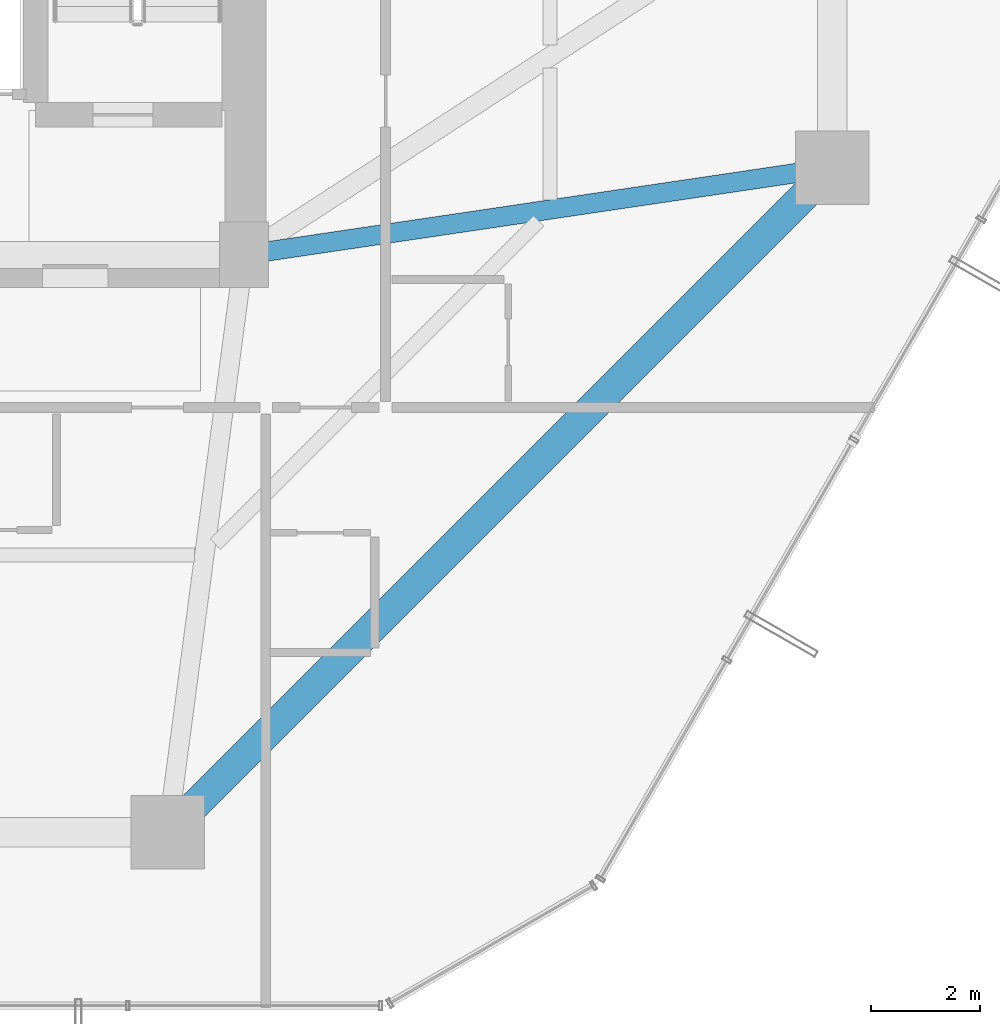
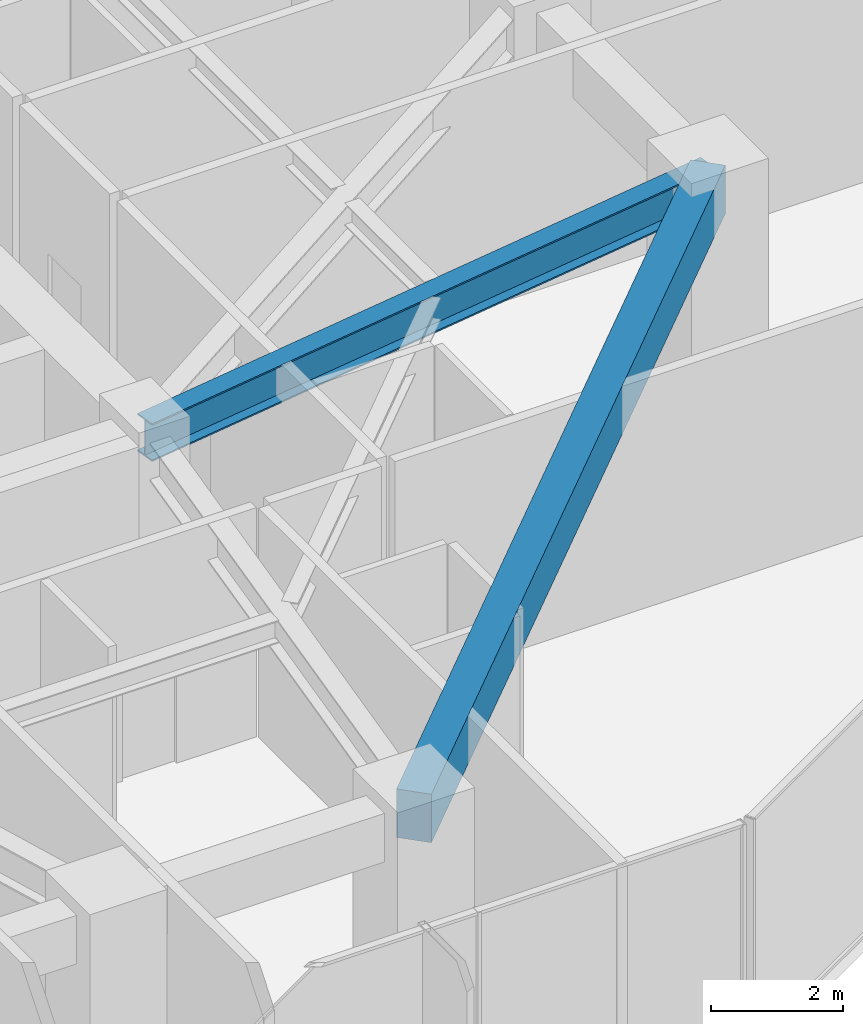
# One storey, part 15 of 39: 2 beams.
"""IFC4 building model written with IfcOpenShell, lengths in metres."""

from ifc_helpers import new_model, si_unit, direction, frame, origin, origin_2d, place, context, subcontext, project, spatial, rectangle, i_section, extrude, material, material_profile, profile_set, type_object, element, save


model = new_model("IFC4")

# Units and contexts
model_context = context("Model", 3, precision=1e-05, world=origin(), true_north=direction((0.0, 1.0)))
body_context = subcontext(model_context, "Body", "Model", "MODEL_VIEW")
ifc_project = project(units=[si_unit("LENGTHUNIT", "METRE"), si_unit("AREAUNIT", "SQUARE_METRE"), si_unit("VOLUMEUNIT", "CUBIC_METRE"), si_unit("PLANEANGLEUNIT", "RADIAN"), si_unit("MASSUNIT", "GRAM", prefix="KILO")], contexts=[model_context])

# Site, building, storey
site_placement = place(None, origin())
site = spatial("IfcSite", under=ifc_project, at=site_placement, CompositionType="ELEMENT")
building_placement = place(site_placement, origin())
building = spatial("IfcBuilding", under=site, at=building_placement, Name="Veraguas Prism Commons", CompositionType="ELEMENT")
storey_placement = place(building_placement, frame((0.0, 0.0, 22.800048828125)))
storey = spatial("IfcBuildingStorey", under=building, at=storey_placement, Name="L05", CompositionType="ELEMENT", Elevation=22.800048828125)

# Beams
ifc_material_1 = material(Name="Concrete C50/60", Category="concrete")
ifc_material_profile_1 = material_profile(ifc_material_1, rectangle(XDim=0.550048828125, YDim=0.89990234375, at=origin_2d()), Name="RC550X900")
ifc_profile_set_1 = profile_set([ifc_material_profile_1], Name="Concrete C50/60")
beam_type_1 = type_object("IfcBeamType", Name="Perimeter Spandrel Lower RC 550x900", PredefinedType="SPANDREL", material=ifc_profile_set_1)
beam_1_placement = place(storey_placement, frame((29.39990234375, 6.39990234375, 3.800048828125), z_axis=(0.707106781187, 0.707106781187, 0.0), x_axis=(-0.707106781187, 0.707106781187, 0.0)))
element("IfcBeam", 1, at=beam_1_placement, inside=storey, type_object=beam_type_1, Name="Perimeter Spandrel Beam L05-SP12", PredefinedType="SPANDREL", context=body_context, shape_type="SweptSolid", body=[
    extrude(rectangle(XDim=0.550048828125, YDim=0.89990234375, at=origin_2d()), origin(), (0.0, 0.0, 1.0), 17.253662109375),
])
ifc_material_2 = material(Name="Steel ASTM A992 Grade 50", Category="steel")
ifc_material_profile_2 = material_profile(ifc_material_2, i_section(OverallWidth=0.35595703125, OverallDepth=0.700927734375, WebThickness=0.016845703125, FlangeThickness=0.02734375, at=origin_2d()), Name="W690X240")
ifc_profile_set_2 = profile_set([ifc_material_profile_2], Name="Steel ASTM A992 Grade 50")
beam_type_2 = type_object("IfcBeamType", Name="Zone 1 Radial Girder W690x240", PredefinedType="BEAM", material=ifc_profile_set_2)
beam_2_placement = place(storey_placement, frame((41.60009765625, 18.60009765625, 3.8994140625), z_axis=(-0.989202261707, -0.146556765224, 0.0), x_axis=(0.146556765224, -0.989202261707, 0.0)))
element("IfcBeam", 2, at=beam_2_placement, inside=storey, type_object=beam_type_2, Name="Radial Floor Girder L05-RD01", PredefinedType="BEAM", context=body_context, shape_type="SweptSolid", body=[
    extrude(i_section(OverallWidth=0.35595703125, OverallDepth=0.700927734375, WebThickness=0.016845703125, FlangeThickness=0.02734375, at=origin_2d()), origin(), (0.0, 0.0, 1.0), 10.91796875),
])

save(model, "model.ifc")
